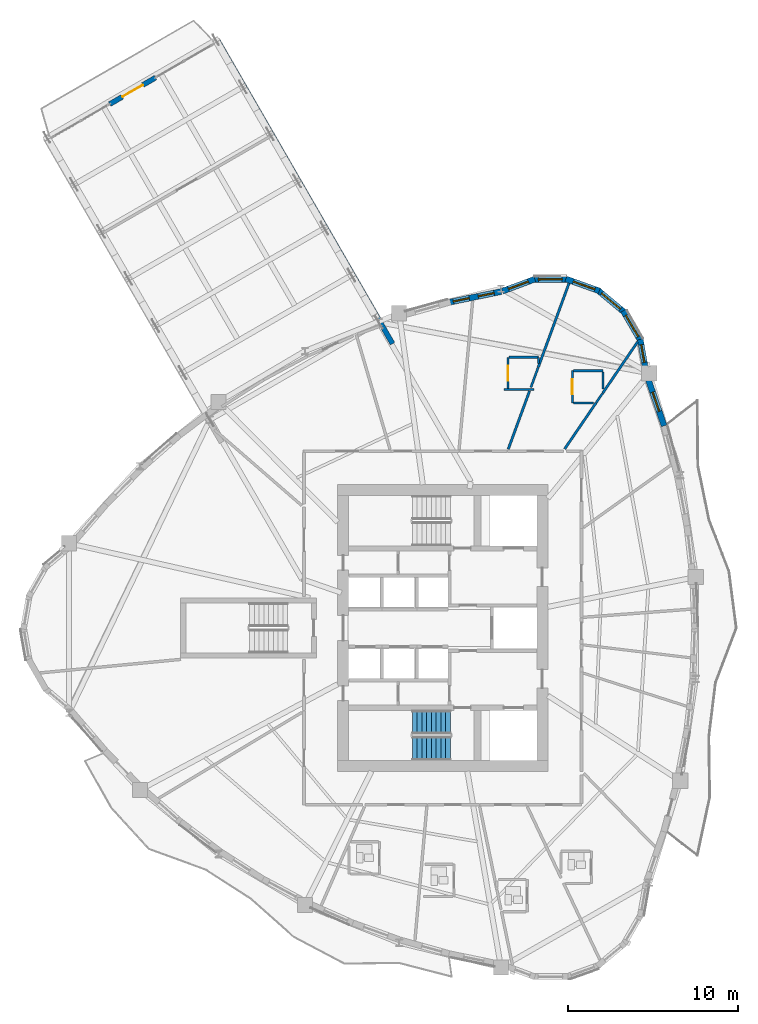
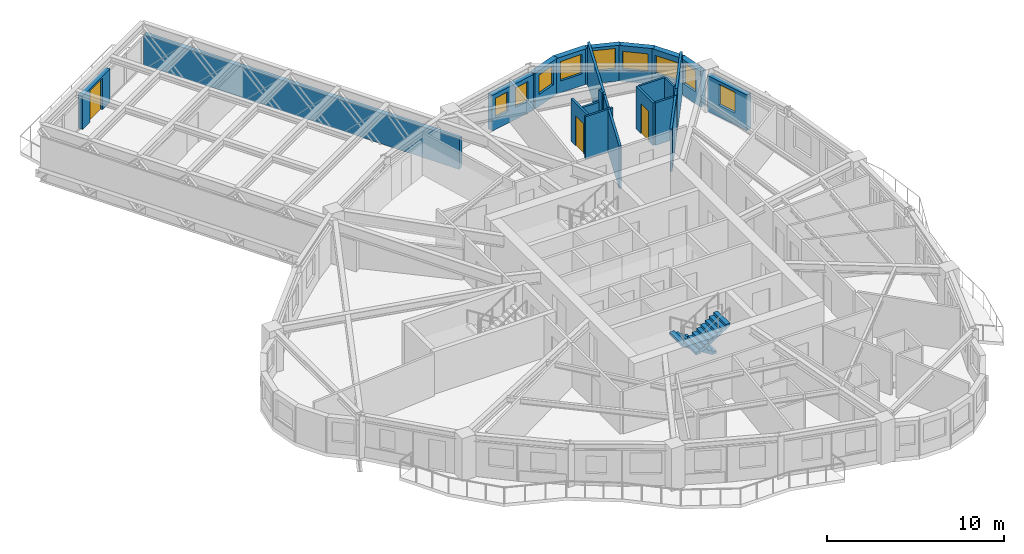
# One storey, part 11 of 16: 24 walls, 9 windows, 3 doors, 2 stair flights, 12 openings, 1 element without a shape of its own.
"""IFC4 building model written with IfcOpenShell, lengths in metres."""

from ifc_helpers import new_model, si_unit, direction, frame, frame_2d, origin, place, context, subcontext, project, spatial, polyline, rectangle, outline, extrude, source, transform, mapped, material, layer, layer_set, type_object, element, fill, aggregate, save


model = new_model("IFC4")

# Units and contexts
model_context = context("Model", 3, precision=1e-05, world=origin(), true_north=direction((0.0, 1.0)))
body_context = subcontext(model_context, "Body", "Model", "MODEL_VIEW")
ifc_project = project(units=[si_unit("LENGTHUNIT", "METRE"), si_unit("AREAUNIT", "SQUARE_METRE"), si_unit("VOLUMEUNIT", "CUBIC_METRE"), si_unit("PLANEANGLEUNIT", "RADIAN"), si_unit("MASSUNIT", "GRAM", prefix="KILO")], contexts=[model_context])

# Site, building, storey
site_placement = place(None, origin())
site = spatial("IfcSite", under=ifc_project, at=site_placement, CompositionType="ELEMENT")
building_placement = place(site_placement, origin())
building = spatial("IfcBuilding", under=site, at=building_placement, Name="Qafzar Sky-Pleat Residences", CompositionType="ELEMENT")
storey_placement = place(building_placement, frame((0.0, 0.0, 80.0)))
storey = spatial("IfcBuildingStorey", under=building, at=storey_placement, Name="L23", CompositionType="ELEMENT", Elevation=80.0)

# Walls
ifc_material_1 = material(Name="Acoustic gypsum plasterboard partition", Category="gypsum")
ifc_layer_1 = layer(ifc_material_1, 0.14501953125)
ifc_layer_set_1 = layer_set([ifc_layer_1], Name="Acoustic gypsum plasterboard partition")
wall_type_1 = type_object("IfcWallType", Name="PART-UNIT-145", PredefinedType="PARTITIONING", material=ifc_layer_set_1)
wall_1_placement = place(storey_placement, frame((35.98291015625, 41.373046875, 0.0), z_axis=(0.0, 0.0, 1.0), x_axis=(0.343972978133, 0.938979547335, 0.0)))
element("IfcWall", 1, at=wall_1_placement, inside=storey, type_object=wall_type_1, Name="L23 Partition Wall PART-L23-PW-037", PredefinedType="PARTITIONING", context=body_context, shape_type="SweptSolid", body=[
    extrude(rectangle(XDim=5.272216796875, YDim=0.14501953125, at=frame_2d((2.63623046875, 0.0))), origin(), (0.0, 0.0, 1.0), 2.93505859375),
])
wall_2_placement = place(storey_placement, frame((34.213134765625, 36.54248046875, 0.0), z_axis=(0.0, 0.0, 1.0), x_axis=(0.343978558693, 0.93897750301, 0.0)))
element("IfcWall", 2, at=wall_2_placement, inside=storey, type_object=wall_type_1, Name="L23 Partition Wall PART-L23-PW-041", PredefinedType="PARTITIONING", context=body_context, shape_type="SweptSolid", body=[
    extrude(rectangle(XDim=3.663818359375, YDim=0.14501953125, at=frame_2d((1.83203125, 0.0))), origin(), (0.0, 0.0, 1.0), 2.93505859375),
])
wall_3_placement = place(storey_placement, frame((39.781982421875, 39.846923828125, 0.0), z_axis=(0.0, 0.0, 1.0), x_axis=(0.562744405359, 0.826630954077, 0.0)))
element("IfcWall", 3, at=wall_3_placement, inside=storey, type_object=wall_type_1, Name="L23 Partition Wall PART-L23-PW-042", PredefinedType="PARTITIONING", context=body_context, shape_type="SweptSolid", body=[
    extrude(rectangle(XDim=3.658203125, YDim=0.14501953125, at=frame_2d((1.8291015625, 0.0))), origin(), (0.0, 0.0, 1.0), 2.93505859375),
])
wall_4_placement = place(storey_placement, frame((37.540771484375, 36.557373046875, 0.0), z_axis=(0.0, 0.0, 1.0), x_axis=(0.563020017907, 0.826443258449, 0.0)))
element("IfcWall", 4, at=wall_4_placement, inside=storey, type_object=wall_type_1, Name="L23 Partition Wall PART-L23-PW-044", PredefinedType="PARTITIONING", context=body_context, shape_type="SweptSolid", body=[
    extrude(rectangle(XDim=3.30029296875, YDim=0.14501953125, at=frame_2d((1.650146484375, 0.0))), origin(), (0.0, 0.0, 1.0), 2.93505859375),
])

# Wall, opening, door
ifc_material_2 = material(Name="Moisture-resistant gypsum partition", Category="gypsum")
ifc_layer_2 = layer(ifc_material_2, 0.1298828125)
ifc_layer_set_2 = layer_set([ifc_layer_2], Name="Moisture-resistant gypsum partition")
wall_type_2 = type_object("IfcWallType", Name="PART-WET-130", PredefinedType="PARTITIONING", material=ifc_layer_set_2)
wall_5_placement = place(storey_placement, frame((34.197998046875, 41.965087890625, 0.0), z_axis=(0.0, 0.0, 1.0), x_axis=(0.0, -1.0, 0.0)))
wall_5 = element("IfcWall", 5, at=wall_5_placement, inside=storey, type_object=wall_type_2, Name="L23 Partition Wall PART-L23-PW-017", PredefinedType="PARTITIONING", context=body_context, shape_type="SweptSolid", body=[
    extrude(rectangle(XDim=1.8271484375, YDim=0.1298828125, at=frame_2d((0.91357421875, 0.0))), origin(), (0.0, 0.0, 1.0), 2.93505859375),
])
opening_1_placement = place(wall_5_placement, frame((0.510009765625, 0.0, 0.0)))
opening_1 = element("IfcOpeningElement", 6, at=opening_1_placement, cuts=wall_5, Name="Opening ID-07", PredefinedType="OPENING", context=body_context, shape_type="SweptSolid", body=[
    extrude(rectangle(XDim=0.8798828125, YDim=2.050048828125, at=frame_2d((0.43994140625, 1.02490234375))), frame((0.0, 0.074951171875, 0.0), z_axis=(0.0, -1.0, 0.0), x_axis=(1.0, 0.0, 0.0)), (0.0, 0.0, 1.0), 0.14990234375),
])
ifc_material_3 = material(Name="Timber-faced fire door", Category="wood")
door_type_1 = type_object("IfcDoorType", Name="DR-WET-880", OperationType="NOTDEFINED", PredefinedType="DOOR", material=ifc_material_3)
shared_shape_1 = source(origin(), body_context, "Body", "SweptSolid", [
    extrude(rectangle(XDim=0.8798828125, YDim=2.050048828125, at=frame_2d((0.43994140625, 1.02490234375))), frame((0.0, 0.02490234375, 0.0), z_axis=(0.0, -1.0, 0.0), x_axis=(1.0, 0.0, 0.0)), (0.0, 0.0, 1.0), 0.050048828125),
])
door_1_placement = place(opening_1_placement, origin())
door_1 = element("IfcDoor", 7, at=door_1_placement, inside=storey, type_object=door_type_1, Name="L23 En-suite Bathroom 6 Door", OperationType="SINGLE_SWING_LEFT", OverallHeight=2.050048828125, OverallWidth=0.8798828125, PredefinedType="DOOR", context=body_context, shape_type="MappedRepresentation", body=[
    mapped(shared_shape_1, transform((0.0, 0.0, 0.0), x_axis=(1.0, 0.0, 0.0), y_axis=(0.0, 1.0, 0.0), z_axis=(0.0, 0.0, 1.0), scale=1.0)),
])
fill(opening_1, door_1)

wall_6_placement = place(storey_placement, frame((37.9970703125, 41.169921875, 0.0), z_axis=(0.0, 0.0, 1.0), x_axis=(0.0, -1.0, 0.0)))
wall_6 = element("IfcWall", 8, at=wall_6_placement, inside=storey, type_object=wall_type_2, Name="L23 Partition Wall PART-L23-PW-022", PredefinedType="PARTITIONING", context=body_context, shape_type="SweptSolid", body=[
    extrude(rectangle(XDim=1.89990234375, YDim=0.1298828125, at=frame_2d((0.949951171875, 0.0))), origin(), (0.0, 0.0, 1.0), 2.93505859375),
])
opening_2_placement = place(wall_6_placement, frame((0.510009765625, 0.0, 0.0)))
opening_2 = element("IfcOpeningElement", 9, at=opening_2_placement, cuts=wall_6, Name="Opening ID-07", PredefinedType="OPENING", context=body_context, shape_type="SweptSolid", body=[
    extrude(rectangle(XDim=0.8798828125, YDim=2.050048828125, at=frame_2d((0.43994140625, 1.02490234375))), frame((0.0, 0.074951171875, 0.0), z_axis=(0.0, -1.0, 0.0), x_axis=(1.0, 0.0, 0.0)), (0.0, 0.0, 1.0), 0.14990234375),
])
door_2_placement = place(opening_2_placement, origin())
door_2 = element("IfcDoor", 10, at=door_2_placement, inside=storey, type_object=door_type_1, Name="L23 En-suite Bathroom 5 Door", OperationType="SINGLE_SWING_RIGHT", OverallHeight=2.050048828125, OverallWidth=0.8798828125, PredefinedType="DOOR", context=body_context, shape_type="MappedRepresentation", body=[
    mapped(shared_shape_1, transform((0.0, 0.0, 0.0), x_axis=(1.0, 0.0, 0.0), y_axis=(0.0, 1.0, 0.0), z_axis=(0.0, 0.0, 1.0), scale=1.0)),
])
fill(opening_2, door_2)

# Walls
wall_7_placement = place(storey_placement, frame((38.070068359375, 41.169921875, 0.0), z_axis=(0.0, 0.0, 1.0), x_axis=(1.0, 0.0, 0.0)))
element("IfcWall", 11, at=wall_7_placement, inside=storey, type_object=wall_type_2, Name="L23 Partition Wall PART-L23-PW-056", PredefinedType="PARTITIONING", context=body_context, shape_type="SweptSolid", body=[
    extrude(rectangle(XDim=1.72705078125, YDim=0.1298828125, at=frame_2d((0.863525390625, 0.0))), origin(), (0.0, 0.0, 1.0), 2.93505859375),
])
wall_8_placement = place(storey_placement, frame((34.27099609375, 41.965087890625, 0.0), z_axis=(0.0, 0.0, 1.0), x_axis=(1.0, 0.0, 0.0)))
element("IfcWall", 12, at=wall_8_placement, inside=storey, type_object=wall_type_2, Name="L23 Partition Wall PART-L23-PW-057", PredefinedType="PARTITIONING", context=body_context, shape_type="SweptSolid", body=[
    extrude(rectangle(XDim=1.72705078125, YDim=0.1298828125, at=frame_2d((0.863525390625, 0.0))), origin(), (0.0, 0.0, 1.0), 2.10302734375),
])
wall_9_placement = place(storey_placement, frame((38.070068359375, 39.27001953125, 0.0), z_axis=(0.0, 0.0, 1.0), x_axis=(1.0, 0.0, 0.0)))
element("IfcWall", 13, at=wall_9_placement, inside=storey, type_object=wall_type_2, Name="L23 Partition Wall PART-L23-PW-062", PredefinedType="PARTITIONING", context=body_context, shape_type="SweptSolid", body=[
    extrude(rectangle(XDim=1.178955078125, YDim=0.1298828125, at=frame_2d((0.58935546875, 0.0))), origin(), (0.0, 0.0, 1.0), 2.93505859375),
])
wall_10_placement = place(storey_placement, frame((35.549072265625, 40.18896484375, 0.0), z_axis=(0.0, 0.0, 1.0), x_axis=(0.344070409158, 0.938943850048, 0.0)))
element("IfcWall", 14, at=wall_10_placement, inside=storey, type_object=wall_type_2, Name="L23 Partition Wall PART-L23-PW-063", PredefinedType="PARTITIONING", context=body_context, shape_type="SweptSolid", body=[
    extrude(rectangle(XDim=1.24609375, YDim=0.1298828125, at=frame_2d((0.623046875, 0.0))), origin(), (0.0, 0.0, 1.0), 2.93505859375),
])
wall_11_placement = place(storey_placement, frame((33.9580078125, 40.06494140625, 0.0), z_axis=(0.0, 0.0, 1.0), x_axis=(1.0, 0.0, 0.0)))
element("IfcWall", 15, at=wall_11_placement, inside=storey, type_object=wall_type_2, Name="L23 Partition Wall PART-L23-PW-065", PredefinedType="PARTITIONING", context=body_context, shape_type="SweptSolid", body=[
    extrude(rectangle(XDim=1.785888671875, YDim=0.1298828125, at=frame_2d((0.89306640625, 0.0))), origin(), (0.0, 0.0, 1.0), 2.93505859375),
])
wall_12_placement = place(storey_placement, frame((39.797119140625, 40.101318359375, 0.0), z_axis=(0.0, 0.0, 1.0), x_axis=(0.0, 1.0, 0.0)))
element("IfcWall", 16, at=wall_12_placement, inside=storey, type_object=wall_type_2, Name="L23 Partition Wall PART-L23-PW-066", PredefinedType="PARTITIONING", context=body_context, shape_type="SweptSolid", body=[
    extrude(rectangle(XDim=0.99560546875, YDim=0.1298828125, at=frame_2d((0.497802734375, 0.0))), origin(), (0.0, 0.0, 1.0), 2.93505859375),
])
wall_13_placement = place(storey_placement, frame((39.40771484375, 39.297119140625, 0.0), z_axis=(0.0, 0.0, 1.0), x_axis=(0.562042989861, 0.827108020483, 0.0)))
element("IfcWall", 17, at=wall_13_placement, inside=storey, type_object=wall_type_2, Name="L23 Partition Wall PART-L23-PW-069", PredefinedType="PARTITIONING", context=body_context, shape_type="SweptSolid", body=[
    extrude(rectangle(XDim=0.650146484375, YDim=0.1298828125, at=frame_2d((0.3251953125, 0.0))), origin(), (0.0, 0.0, 1.0), 2.93505859375),
])
wall_14_placement = place(storey_placement, frame((35.998046875, 41.593994140625, 0.0), z_axis=(0.0, 0.0, 1.0), x_axis=(0.0, 1.0, 0.0)))
element("IfcWall", 18, at=wall_14_placement, inside=storey, type_object=wall_type_2, Name="L23 Partition Wall PART-L23-PW-070", PredefinedType="PARTITIONING", context=body_context, shape_type="SweptSolid", body=[
    extrude(rectangle(XDim=0.37109375, YDim=0.1298828125, at=frame_2d((0.185546875, 0.0))), origin(), (0.0, 0.0, 1.0), 2.93505859375),
])
ifc_material_4 = material(Name="Precast concrete C40/50 with honed Riyadh limestone", Category="concrete")
ifc_layer_3 = layer(ifc_material_4, 0.300048828125)
ifc_layer_set_3 = layer_set([ifc_layer_3], Name="Precast concrete C40/50 with honed Riyadh limestone")
wall_type_3 = type_object("IfcWallType", Name="WALL-EXT-300", PredefinedType="SOLIDWALL", material=ifc_layer_set_3)
wall_15_placement = place(storey_placement, frame((27.390380859375, 42.766357421875, 0.0), z_axis=(0.0, 0.0, 1.0), x_axis=(-0.499999403898, 0.866025747944, 0.0)))
element("IfcWall", 19, at=wall_15_placement, inside=storey, type_object=wall_type_3, Name="L23 SB-2 Side Spandrel Wall R", PredefinedType="SOLIDWALL", context=body_context, shape_type="SweptSolid", body=[
    extrude(rectangle(XDim=20.60302734375, YDim=0.300048828125, at=frame_2d((10.301513671875, 0.0))), origin(), (0.0, 0.0, 1.0), 2.114990234375),
])

# Wall, opening, door
wall_16_placement = place(storey_placement, frame((10.71240234375, 56.89306640625, 0.0), z_axis=(0.0, 0.0, 1.0), x_axis=(0.866029224906, 0.499993381564, 0.0)))
wall_16 = element("IfcWall", 20, at=wall_16_placement, inside=storey, type_object=wall_type_3, Name="L23 SB-2 Prow Portal Wall", PredefinedType="SOLIDWALL", context=body_context, shape_type="SweptSolid", body=[
    extrude(rectangle(XDim=3.1201171875, YDim=0.300048828125, at=frame_2d((1.56005859375, 0.0))), origin(), (0.0, 0.0, 1.0), 2.300048828125),
])
opening_3_placement = place(wall_16_placement, frame((0.860107421875, 0.0, 0.0)))
opening_3 = element("IfcOpeningElement", 21, at=opening_3_placement, cuts=wall_16, Name="Opening ED-07", PredefinedType="OPENING", context=body_context, shape_type="SweptSolid", body=[
    extrude(rectangle(XDim=1.39990234375, YDim=2.14990234375, at=frame_2d((0.699951171875, 1.074951171875))), frame((0.0, 0.16015625, 0.0), z_axis=(0.0, -1.0, 0.0), x_axis=(1.0, 0.0, 0.0)), (0.0, 0.0, 1.0), 0.320068359375),
])
ifc_material_5 = material(Name="Glazed bronze aluminium door", Category="aluminium")
door_type_2 = type_object("IfcDoorType", Name="DR-SB-1400", OperationType="DOUBLE_DOOR_SINGLE_SWING", PredefinedType="DOOR", material=ifc_material_5)
shared_shape_2 = source(origin(), body_context, "Body", "SweptSolid", [
    extrude(rectangle(XDim=1.39990234375, YDim=2.14990234375, at=frame_2d((0.699951171875, 1.074951171875))), frame((0.0, 0.02490234375, 0.0), z_axis=(0.0, -1.0, 0.0), x_axis=(1.0, 0.0, 0.0)), (0.0, 0.0, 1.0), 0.050048828125),
])
door_3_placement = place(opening_3_placement, origin())
door_3 = element("IfcDoor", 22, at=door_3_placement, inside=storey, type_object=door_type_2, Name="L23 SB-2 Tip Balcony Glazed Door", OperationType="DOUBLE_DOOR_SINGLE_SWING", OverallHeight=2.14990234375, OverallWidth=1.39990234375, PredefinedType="DOOR", context=body_context, shape_type="MappedRepresentation", body=[
    mapped(shared_shape_2, transform((0.0, 0.0, 0.0), x_axis=(1.0, 0.0, 0.0), y_axis=(0.0, 1.0, 0.0), z_axis=(0.0, 0.0, 1.0), scale=1.0)),
])
fill(opening_3, door_3)

# Wall, opening, window
ifc_layer_4 = layer(ifc_material_4, 0.35009765625)
ifc_layer_set_4 = layer_set([ifc_layer_4], Name="Precast concrete C40/50 with honed Riyadh limestone")
wall_type_4 = type_object("IfcWallType", Name="WALL-EXT-350", PredefinedType="SOLIDWALL", material=ifc_layer_set_4)
wall_17_placement = place(storey_placement, frame((43.406494140625, 37.922607421875, 0.0), z_axis=(0.0, 0.0, 1.0), x_axis=(-0.323597196737, 0.946194934601, 0.0)))
wall_17 = element("IfcWall", 23, at=wall_17_placement, inside=storey, type_object=wall_type_4, Name="L23 Limestone Facade Wall 32", PredefinedType="SOLIDWALL", context=body_context, shape_type="SweptSolid", body=[
    extrude(rectangle(XDim=2.987548828125, YDim=0.35009765625, at=frame_2d((1.49365234375, 0.0))), origin(), (0.0, 0.0, 1.0), 2.465087890625),
])
opening_4_placement = place(wall_17_placement, frame((0.898681640625, 0.0, 0.820068359375)))
opening_4 = element("IfcOpeningElement", 24, at=opening_4_placement, cuts=wall_17, Name="Opening WN-05", PredefinedType="OPENING", context=body_context, shape_type="SweptSolid", body=[
    extrude(rectangle(XDim=1.199951171875, YDim=1.449951171875, at=frame_2d((0.60009765625, 0.72509765625))), frame((0.0, 0.18505859375, 0.0), z_axis=(0.0, -1.0, 0.0), x_axis=(1.0, 0.0, 0.0)), (0.0, 0.0, 1.0), 0.3701171875),
])
ifc_material_6 = material(Name="Solar-control low-E glass in bronze aluminium frame", Category="glass")
window_type_1 = type_object("IfcWindowType", Name="WIN-05", PartitioningType="SINGLE_PANEL", PredefinedType="WINDOW", material=ifc_material_6)
shared_shape_3 = source(origin(), body_context, "Body", "SweptSolid", [
    extrude(rectangle(XDim=1.199951171875, YDim=1.449951171875, at=frame_2d((0.60009765625, 0.72509765625))), frame((0.0, 0.030029296875, 0.0), z_axis=(0.0, -1.0, 0.0), x_axis=(1.0, 0.0, 0.0)), (0.0, 0.0, 1.0), 0.06005859375),
])
window_1_placement = place(opening_4_placement, origin())
window_1 = element("IfcWindow", 25, at=window_1_placement, inside=storey, type_object=window_type_1, Name="L23 Punched Facade Window 32", OverallHeight=1.449951171875, OverallWidth=1.199951171875, PartitioningType="SINGLE_PANEL", PredefinedType="WINDOW", context=body_context, shape_type="MappedRepresentation", body=[
    mapped(shared_shape_3, transform((0.0, 0.0, 0.0), x_axis=(1.0, 0.0, 0.0), y_axis=(0.0, 1.0, 0.0), z_axis=(0.0, 0.0, 1.0), scale=1.0)),
])
fill(opening_4, window_1)

wall_18_placement = place(storey_placement, frame((42.32080078125, 41.2099609375, 0.0), z_axis=(0.0, 0.0, 1.0), x_axis=(-0.174331490339, 0.984687022092, 0.0)))
wall_18 = element("IfcWall", 26, at=wall_18_placement, inside=storey, type_object=wall_type_4, Name="L23 Limestone Facade Wall 33", PredefinedType="SOLIDWALL", context=body_context, shape_type="SweptSolid", body=[
    extrude(rectangle(XDim=1.8359375, YDim=0.35009765625, at=frame_2d((0.91796875, 0.0))), origin(), (0.0, 0.0, 1.0), 2.465087890625),
])
opening_5_placement = place(wall_18_placement, frame((0.45849609375, 0.0, 0.820068359375)))
opening_5 = element("IfcOpeningElement", 27, at=opening_5_placement, cuts=wall_18, Name="Opening WN-06", PredefinedType="OPENING", context=body_context, shape_type="SweptSolid", body=[
    extrude(rectangle(XDim=1.050048828125, YDim=1.449951171875, at=frame_2d((0.52490234375, 0.72509765625))), frame((0.0, 0.18505859375, 0.0), z_axis=(0.0, -1.0, 0.0), x_axis=(1.0, 0.0, 0.0)), (0.0, 0.0, 1.0), 0.3701171875),
])
window_type_2 = type_object("IfcWindowType", Name="WIN-06", PartitioningType="SINGLE_PANEL", PredefinedType="WINDOW", material=ifc_material_6)
shared_shape_4 = source(origin(), body_context, "Body", "SweptSolid", [
    extrude(rectangle(XDim=1.050048828125, YDim=1.449951171875, at=frame_2d((0.52490234375, 0.72509765625))), frame((0.0, 0.030029296875, 0.0), z_axis=(0.0, -1.0, 0.0), x_axis=(1.0, 0.0, 0.0)), (0.0, 0.0, 1.0), 0.06005859375),
])
window_2_placement = place(opening_5_placement, origin())
window_2 = element("IfcWindow", 28, at=window_2_placement, inside=storey, type_object=window_type_2, Name="L23 Punched Facade Window 33", OverallHeight=1.449951171875, OverallWidth=1.050048828125, PartitioningType="SINGLE_PANEL", PredefinedType="WINDOW", context=body_context, shape_type="MappedRepresentation", body=[
    mapped(shared_shape_4, transform((0.0, 0.0, 0.0), x_axis=(1.0, 0.0, 0.0), y_axis=(0.0, 1.0, 0.0), z_axis=(0.0, 0.0, 1.0), scale=1.0)),
])
fill(opening_5, window_2)

wall_19_placement = place(storey_placement, frame((42.04736328125, 42.89013671875, 0.0), z_axis=(0.0, 0.0, 1.0), x_axis=(-0.501902596059, 0.864924149315, 0.0)))
wall_19 = element("IfcWall", 29, at=wall_19_placement, inside=storey, type_object=wall_type_4, Name="L23 Limestone Facade Wall 34", PredefinedType="SOLIDWALL", context=body_context, shape_type="SweptSolid", body=[
    extrude(rectangle(XDim=2.098876953125, YDim=0.35009765625, at=frame_2d((1.04931640625, 0.0))), origin(), (0.0, 0.0, 1.0), 2.465087890625),
])
opening_6_placement = place(wall_19_placement, frame((0.33349609375, 0.0, 0.820068359375)))
opening_6 = element("IfcOpeningElement", 30, at=opening_6_placement, cuts=wall_19, Name="Opening WN-15", PredefinedType="OPENING", context=body_context, shape_type="SweptSolid", body=[
    extrude(rectangle(XDim=1.449951171875, YDim=1.25, at=frame_2d((0.72509765625, 0.625))), frame((0.0, 0.18505859375, 0.0), z_axis=(0.0, -1.0, 0.0), x_axis=(1.0, 0.0, 0.0)), (0.0, 0.0, 1.0), 0.3701171875),
])
window_type_3 = type_object("IfcWindowType", Name="WIN-15", PartitioningType="SINGLE_PANEL", PredefinedType="WINDOW", material=ifc_material_6)
shared_shape_5 = source(origin(), body_context, "Body", "SweptSolid", [
    extrude(rectangle(XDim=1.449951171875, YDim=1.25, at=frame_2d((0.72509765625, 0.625))), frame((0.0, 0.030029296875, 0.0), z_axis=(0.0, -1.0, 0.0), x_axis=(1.0, 0.0, 0.0)), (0.0, 0.0, 1.0), 0.06005859375),
])
window_3_placement = place(opening_6_placement, origin())
window_3 = element("IfcWindow", 31, at=window_3_placement, inside=storey, type_object=window_type_3, Name="L23 Punched Facade Window 34", OverallHeight=1.25, OverallWidth=1.449951171875, PartitioningType="SINGLE_PANEL", PredefinedType="WINDOW", context=body_context, shape_type="MappedRepresentation", body=[
    mapped(shared_shape_5, transform((0.0, 0.0, 0.0), x_axis=(1.0, 0.0, 0.0), y_axis=(0.0, 1.0, 0.0), z_axis=(0.0, 0.0, 1.0), scale=1.0)),
])
fill(opening_6, window_3)

wall_20_placement = place(storey_placement, frame((41.08154296875, 44.601806640625, 0.0), z_axis=(0.0, 0.0, 1.0), x_axis=(-0.768497696041, 0.639852554249, 0.0)))
wall_20 = element("IfcWall", 32, at=wall_20_placement, inside=storey, type_object=wall_type_4, Name="L23 Limestone Facade Wall 35", PredefinedType="SOLIDWALL", context=body_context, shape_type="SweptSolid", body=[
    extrude(rectangle(XDim=2.098876953125, YDim=0.35009765625, at=frame_2d((1.04931640625, 0.0))), origin(), (0.0, 0.0, 1.0), 2.465087890625),
])
opening_7_placement = place(wall_20_placement, frame((0.324462890625, 0.0, 0.820068359375)))
opening_7 = element("IfcOpeningElement", 33, at=opening_7_placement, cuts=wall_20, Name="Opening WN-15", PredefinedType="OPENING", context=body_context, shape_type="SweptSolid", body=[
    extrude(rectangle(XDim=1.449951171875, YDim=1.25, at=frame_2d((0.72509765625, 0.625))), frame((0.0, 0.18505859375, 0.0), z_axis=(0.0, -1.0, 0.0), x_axis=(1.0, 0.0, 0.0)), (0.0, 0.0, 1.0), 0.3701171875),
])
window_4_placement = place(opening_7_placement, origin())
window_4 = element("IfcWindow", 34, at=window_4_placement, inside=storey, type_object=window_type_3, Name="L23 Punched Facade Window 35", OverallHeight=1.25, OverallWidth=1.449951171875, PartitioningType="SINGLE_PANEL", PredefinedType="WINDOW", context=body_context, shape_type="MappedRepresentation", body=[
    mapped(shared_shape_5, transform((0.0, 0.0, 0.0), x_axis=(1.0, 0.0, 0.0), y_axis=(0.0, 1.0, 0.0), z_axis=(0.0, 0.0, 1.0), scale=1.0)),
])
fill(opening_7, window_4)

wall_21_placement = place(storey_placement, frame((39.58642578125, 45.87744140625, 0.0), z_axis=(0.0, 0.0, 1.0), x_axis=(-0.941473186867, 0.33708787936, 0.0)))
wall_21 = element("IfcWall", 35, at=wall_21_placement, inside=storey, type_object=wall_type_4, Name="L23 Limestone Facade Wall 36", PredefinedType="SOLIDWALL", context=body_context, shape_type="SweptSolid", body=[
    extrude(rectangle(XDim=2.098876953125, YDim=0.35009765625, at=frame_2d((1.04931640625, 0.0))), origin(), (0.0, 0.0, 1.0), 2.465087890625),
])
opening_8_placement = place(wall_21_placement, frame((0.28271484375, 0.0, 0.820068359375)))
opening_8 = element("IfcOpeningElement", 36, at=opening_8_placement, cuts=wall_21, Name="Opening WN-04", PredefinedType="OPENING", context=body_context, shape_type="SweptSolid", body=[
    extrude(rectangle(XDim=1.35009765625, YDim=1.449951171875, at=frame_2d((0.675048828125, 0.72509765625))), frame((0.0, 0.18505859375, 0.0), z_axis=(0.0, -1.0, 0.0), x_axis=(1.0, 0.0, 0.0)), (0.0, 0.0, 1.0), 0.3701171875),
])
window_type_4 = type_object("IfcWindowType", Name="WIN-04", PartitioningType="SINGLE_PANEL", PredefinedType="WINDOW", material=ifc_material_6)
shared_shape_6 = source(origin(), body_context, "Body", "SweptSolid", [
    extrude(rectangle(XDim=1.35009765625, YDim=1.449951171875, at=frame_2d((0.675048828125, 0.72509765625))), frame((0.0, 0.030029296875, 0.0), z_axis=(0.0, -1.0, 0.0), x_axis=(1.0, 0.0, 0.0)), (0.0, 0.0, 1.0), 0.06005859375),
])
window_5_placement = place(opening_8_placement, origin())
window_5 = element("IfcWindow", 37, at=window_5_placement, inside=storey, type_object=window_type_4, Name="L23 Punched Facade Window 36", OverallHeight=1.449951171875, OverallWidth=1.35009765625, PartitioningType="SINGLE_PANEL", PredefinedType="WINDOW", context=body_context, shape_type="MappedRepresentation", body=[
    mapped(shared_shape_6, transform((0.0, 0.0, 0.0), x_axis=(1.0, 0.0, 0.0), y_axis=(0.0, 1.0, 0.0), z_axis=(0.0, 0.0, 1.0), scale=1.0)),
])
fill(opening_8, window_5)

wall_22_placement = place(storey_placement, frame((37.744384765625, 46.562255859375, 0.0), z_axis=(0.0, 0.0, 1.0), x_axis=(-0.999976451414, -0.006862697526, 0.0)))
wall_22 = element("IfcWall", 38, at=wall_22_placement, inside=storey, type_object=wall_type_4, Name="L23 Limestone Facade Wall 37", PredefinedType="SOLIDWALL", context=body_context, shape_type="SweptSolid", body=[
    extrude(rectangle(XDim=2.098876953125, YDim=0.35009765625, at=frame_2d((1.04931640625, 0.0))), origin(), (0.0, 0.0, 1.0), 2.465087890625),
])
opening_9_placement = place(wall_22_placement, frame((0.349609375, 0.0, 0.820068359375)))
opening_9 = element("IfcOpeningElement", 39, at=opening_9_placement, cuts=wall_22, Name="Opening WN-10", PredefinedType="OPENING", context=body_context, shape_type="SweptSolid", body=[
    extrude(rectangle(XDim=1.39990234375, YDim=1.35009765625, at=frame_2d((0.699951171875, 0.675048828125))), frame((0.0, 0.18505859375, 0.0), z_axis=(0.0, -1.0, 0.0), x_axis=(1.0, 0.0, 0.0)), (0.0, 0.0, 1.0), 0.3701171875),
])
window_type_5 = type_object("IfcWindowType", Name="WIN-10", PartitioningType="SINGLE_PANEL", PredefinedType="WINDOW", material=ifc_material_6)
shared_shape_7 = source(origin(), body_context, "Body", "SweptSolid", [
    extrude(rectangle(XDim=1.39990234375, YDim=1.35009765625, at=frame_2d((0.699951171875, 0.675048828125))), frame((0.0, 0.030029296875, 0.0), z_axis=(0.0, -1.0, 0.0), x_axis=(1.0, 0.0, 0.0)), (0.0, 0.0, 1.0), 0.06005859375),
])
window_6_placement = place(opening_9_placement, origin())
window_6 = element("IfcWindow", 40, at=window_6_placement, inside=storey, type_object=window_type_5, Name="L23 Punched Facade Window 37", OverallHeight=1.35009765625, OverallWidth=1.39990234375, PartitioningType="SINGLE_PANEL", PredefinedType="WINDOW", context=body_context, shape_type="MappedRepresentation", body=[
    mapped(shared_shape_7, transform((0.0, 0.0, 0.0), x_axis=(1.0, 0.0, 0.0), y_axis=(0.0, 1.0, 0.0), z_axis=(0.0, 0.0, 1.0), scale=1.0)),
])
fill(opening_9, window_6)

wall_23_placement = place(storey_placement, frame((35.779052734375, 46.572509765625, 0.0), z_axis=(0.0, 0.0, 1.0), x_axis=(-0.9368002254, -0.349864741994, 0.0)))
wall_23 = element("IfcWall", 41, at=wall_23_placement, inside=storey, type_object=wall_type_4, Name="L23 Limestone Facade Wall 38", PredefinedType="SOLIDWALL", context=body_context, shape_type="SweptSolid", body=[
    extrude(rectangle(XDim=2.041015625, YDim=0.35009765625, at=frame_2d((1.0205078125, 0.0))), origin(), (0.0, 0.0, 1.0), 2.465087890625),
])
opening_10_placement = place(wall_23_placement, frame((0.405517578125, 0.0, 0.820068359375)))
opening_10 = element("IfcOpeningElement", 42, at=opening_10_placement, cuts=wall_23, Name="Opening WN-11", PredefinedType="OPENING", context=body_context, shape_type="SweptSolid", body=[
    extrude(rectangle(XDim=1.25, YDim=1.35009765625, at=frame_2d((0.625, 0.675048828125))), frame((0.0, 0.18505859375, 0.0), z_axis=(0.0, -1.0, 0.0), x_axis=(1.0, 0.0, 0.0)), (0.0, 0.0, 1.0), 0.3701171875),
])
window_type_6 = type_object("IfcWindowType", Name="WIN-11", PartitioningType="SINGLE_PANEL", PredefinedType="WINDOW", material=ifc_material_6)
shared_shape_8 = source(origin(), body_context, "Body", "SweptSolid", [
    extrude(rectangle(XDim=1.25, YDim=1.35009765625, at=frame_2d((0.625, 0.675048828125))), frame((0.0, 0.030029296875, 0.0), z_axis=(0.0, -1.0, 0.0), x_axis=(1.0, 0.0, 0.0)), (0.0, 0.0, 1.0), 0.06005859375),
])
window_7_placement = place(opening_10_placement, origin())
window_7 = element("IfcWindow", 43, at=window_7_placement, inside=storey, type_object=window_type_6, Name="L23 Punched Facade Window 38", OverallHeight=1.35009765625, OverallWidth=1.25, PartitioningType="SINGLE_PANEL", PredefinedType="WINDOW", context=body_context, shape_type="MappedRepresentation", body=[
    mapped(shared_shape_8, transform((0.0, 0.0, 0.0), x_axis=(1.0, 0.0, 0.0), y_axis=(0.0, 1.0, 0.0), z_axis=(0.0, 0.0, 1.0), scale=1.0)),
])
fill(opening_10, window_7)

# Wall, openings, windows
wall_24_placement = place(storey_placement, frame((33.802734375, 45.840087890625, 0.0), z_axis=(0.0, 0.0, 1.0), x_axis=(-0.97943222174, -0.201773444777, 0.0)))
wall_24 = element("IfcWall", 44, at=wall_24_placement, inside=storey, type_object=wall_type_4, Name="L23 Limestone Facade Wall 39", PredefinedType="SOLIDWALL", context=body_context, shape_type="SweptSolid", body=[
    extrude(rectangle(XDim=3.1435546875, YDim=0.35009765625, at=frame_2d((1.57177734375, 0.0))), origin(), (0.0, 0.0, 1.0), 2.465087890625),
])
opening_11_placement = place(wall_24_placement, frame((0.430908203125, 0.0, 0.820068359375)))
opening_11 = element("IfcOpeningElement", 45, at=opening_11_placement, cuts=wall_24, Name="Opening WN-12", PredefinedType="OPENING", context=body_context, shape_type="SweptSolid", body=[
    extrude(rectangle(XDim=0.949951171875, YDim=1.35009765625, at=frame_2d((0.47509765625, 0.675048828125))), frame((0.0, 0.18505859375, 0.0), z_axis=(0.0, -1.0, 0.0), x_axis=(1.0, 0.0, 0.0)), (0.0, 0.0, 1.0), 0.3701171875),
])
opening_12_placement = place(wall_24_placement, frame((1.93310546875, 0.0, 0.820068359375)))
opening_12 = element("IfcOpeningElement", 46, at=opening_12_placement, cuts=wall_24, Name="Opening WN-12", PredefinedType="OPENING", context=body_context, shape_type="SweptSolid", body=[
    extrude(rectangle(XDim=0.949951171875, YDim=1.35009765625, at=frame_2d((0.47509765625, 0.675048828125))), frame((0.0, 0.18505859375, 0.0), z_axis=(0.0, -1.0, 0.0), x_axis=(1.0, 0.0, 0.0)), (0.0, 0.0, 1.0), 0.3701171875),
])
window_type_7 = type_object("IfcWindowType", Name="WIN-12", PartitioningType="SINGLE_PANEL", PredefinedType="WINDOW", material=ifc_material_6)
shared_shape_9 = source(origin(), body_context, "Body", "SweptSolid", [
    extrude(rectangle(XDim=0.949951171875, YDim=1.35009765625, at=frame_2d((0.47509765625, 0.675048828125))), frame((0.0, 0.030029296875, 0.0), z_axis=(0.0, -1.0, 0.0), x_axis=(1.0, 0.0, 0.0)), (0.0, 0.0, 1.0), 0.06005859375),
])
window_8_placement = place(opening_11_placement, origin())
window_8 = element("IfcWindow", 47, at=window_8_placement, inside=storey, type_object=window_type_7, Name="L23 Punched Facade Window 39", OverallHeight=1.35009765625, OverallWidth=0.949951171875, PartitioningType="SINGLE_PANEL", PredefinedType="WINDOW", context=body_context, shape_type="MappedRepresentation", body=[
    mapped(shared_shape_9, transform((0.0, 0.0, 0.0), x_axis=(1.0, 0.0, 0.0), y_axis=(0.0, 1.0, 0.0), z_axis=(0.0, 0.0, 1.0), scale=1.0)),
])
fill(opening_11, window_8)
window_9_placement = place(opening_12_placement, origin())
window_9 = element("IfcWindow", 48, at=window_9_placement, inside=storey, type_object=window_type_7, Name="L23 Punched Facade Window 39-2", OverallHeight=1.35009765625, OverallWidth=0.949951171875, PartitioningType="SINGLE_PANEL", PredefinedType="WINDOW", context=body_context, shape_type="MappedRepresentation", body=[
    mapped(shared_shape_9, transform((0.0, 0.0, 0.0), x_axis=(1.0, 0.0, 0.0), y_axis=(0.0, 1.0, 0.0), z_axis=(0.0, 0.0, 1.0), scale=1.0)),
])
fill(opening_12, window_9)

# Stair, stair flights
ifc_material_7 = material(Name="Concrete C40/50", Category="concrete")
stair_type = type_object("IfcStairType", Name="STAIR-H320", PredefinedType="HALF_TURN_STAIR", material=ifc_material_7)
stair_placement = place(storey_placement, origin())
stair = element("IfcStair", 49, at=stair_placement, inside=storey, type_object=stair_type, Name="L23 Protected Exit Stair ST1", PredefinedType="HALF_TURN_STAIR")
stair_flight_type = type_object("IfcStairFlightType", Name="FLIGHT-H320", PredefinedType="STRAIGHT", material=ifc_material_7)
shared_shape_10 = source(origin(), body_context, "Body", "SweptSolid", [
    extrude(outline(polyline([(0.0, 0.0), (0.0, 0.177734375), (0.280029296875, 0.177734375), (0.280029296875, 0.35546875), (0.56005859375, 0.35546875), (0.56005859375, 0.533447265625), (0.840087890625, 0.533447265625), (0.840087890625, 0.711181640625), (1.1201171875, 0.711181640625), (1.1201171875, 0.888916015625), (1.39990234375, 0.888916015625), (1.39990234375, 1.066650390625), (1.679931640625, 1.066650390625), (1.679931640625, 1.244384765625), (1.9599609375, 1.244384765625), (1.9599609375, 1.422119140625), (2.239990234375, 1.422119140625), (2.239990234375, 1.60009765625), (2.239990234375, 1.24462890625), (0.27978515625, 0.0), (0.0, 0.0)])), frame((0.0, 0.699951171875, 0.0), z_axis=(0.0, -1.0, 0.0), x_axis=(1.0, 0.0, 0.0)), (0.0, 0.0, 1.0), 1.39990234375),
])
stair_flight_1_placement = place(storey_placement, frame((30.800048828125, 20.449951171875, 0.0), z_axis=(0.0, 0.0, 1.0), x_axis=(-1.0, 0.0, 0.0)))
stair_flight_1 = element("IfcStairFlight", 50, at=stair_flight_1_placement, type_object=stair_flight_type, Name="ST1 flight 1", NumberOfRisers=9, NumberOfTreads=8, PredefinedType="STRAIGHT", RiserHeight=0.177777778, TreadLength=0.28, context=body_context, shape_type="MappedRepresentation", body=[
    mapped(shared_shape_10, transform((0.0, 0.0, 0.0), x_axis=(1.0, 0.0, 0.0), y_axis=(0.0, 1.0, 0.0), z_axis=(0.0, 0.0, 1.0), scale=1.0)),
])
stair_flight_2_placement = place(storey_placement, frame((28.56005859375, 18.89990234375, 1.60009765625), z_axis=(0.0, 0.0, 1.0), x_axis=(1.0, 0.0, 0.0)))
stair_flight_2 = element("IfcStairFlight", 51, at=stair_flight_2_placement, type_object=stair_flight_type, Name="ST1 flight 2", NumberOfRisers=9, NumberOfTreads=8, PredefinedType="STRAIGHT", RiserHeight=0.177777778, TreadLength=0.28, context=body_context, shape_type="MappedRepresentation", body=[
    mapped(shared_shape_10, transform((0.0, 0.0, 0.0), x_axis=(1.0, 0.0, 0.0), y_axis=(0.0, 1.0, 0.0), z_axis=(0.0, 0.0, 1.0), scale=1.0)),
])
aggregate(stair, [stair_flight_1, stair_flight_2])

save(model, "model.ifc")
